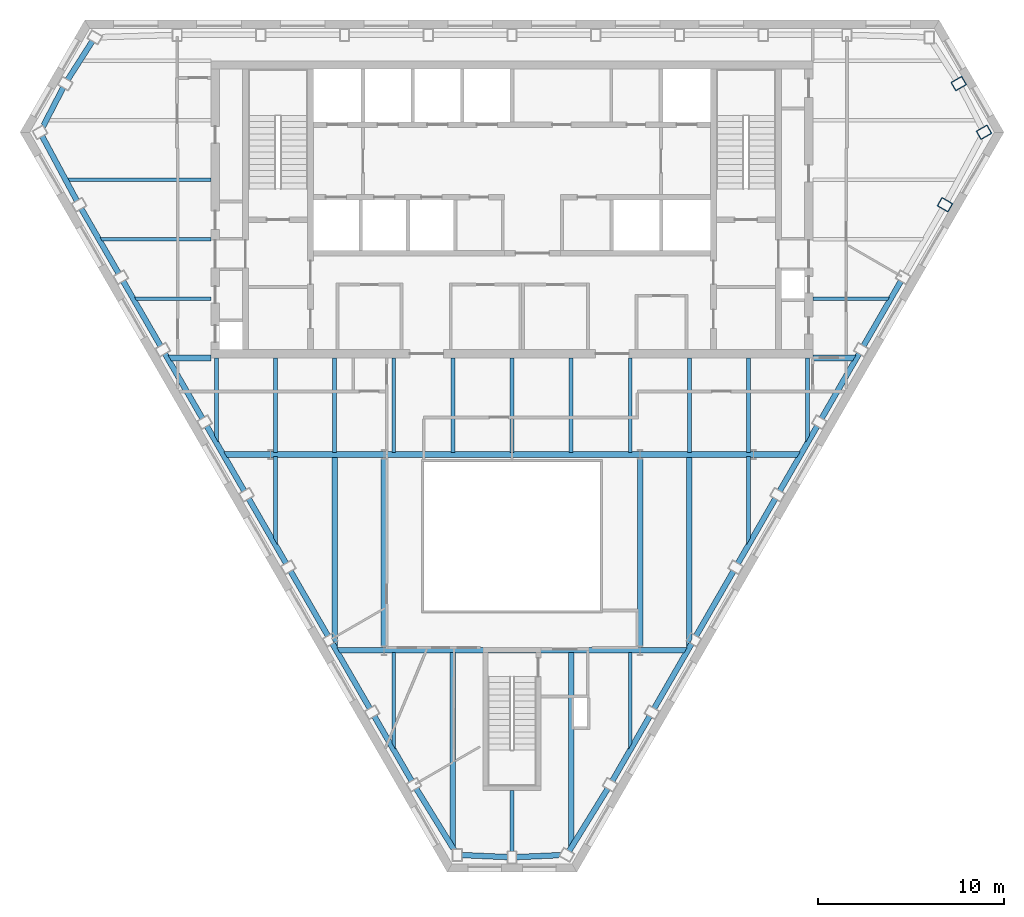
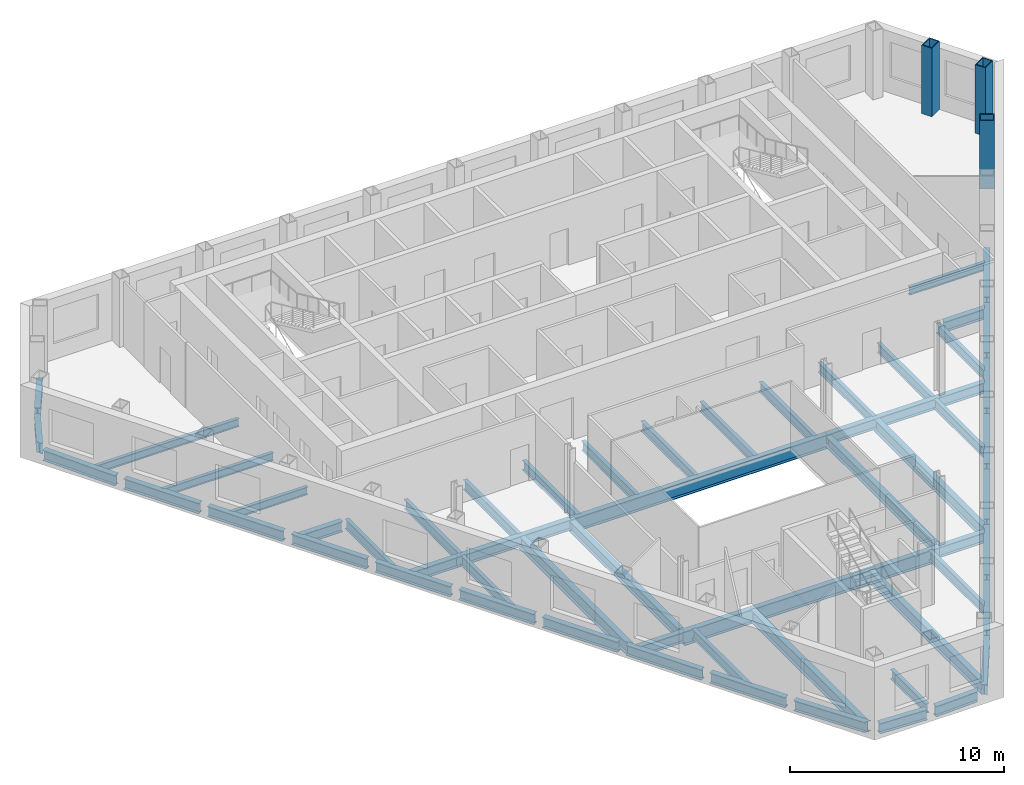
# One storey, part 2 of 11: 58 beams, 3 columns.
"""IFC4 building model written with IfcOpenShell, lengths in metres."""

from ifc_helpers import new_model, si_unit, direction, frame, origin, origin_2d, place, context, subcontext, project, spatial, hollow_rectangle, i_section, extrude, clip, halfspace, material, material_profile, profile_set, type_object, element, save


model = new_model("IFC4")

# Units and contexts
model_context = context("Model", 3, precision=1e-05, world=origin(), true_north=direction((0.0, 1.0)))
body_context = subcontext(model_context, "Body", "Model", "MODEL_VIEW")
ifc_project = project(units=[si_unit("LENGTHUNIT", "METRE"), si_unit("AREAUNIT", "SQUARE_METRE"), si_unit("VOLUMEUNIT", "CUBIC_METRE"), si_unit("PLANEANGLEUNIT", "RADIAN"), si_unit("MASSUNIT", "GRAM", prefix="KILO")], contexts=[model_context])

# Site, building, storey
site_placement = place(None, origin())
site = spatial("IfcSite", under=ifc_project, at=site_placement, CompositionType="ELEMENT")
building_placement = place(site_placement, origin())
building = spatial("IfcBuilding", under=site, at=building_placement, Name="Njiva Tower", CompositionType="ELEMENT")
storey_placement = place(building_placement, frame((0.0, 0.0, 223.8)))
storey = spatial("IfcBuildingStorey", under=building, at=storey_placement, Name="L50", CompositionType="ELEMENT", Elevation=223.8)

# Columns
ifc_material = material(Name="Steel S355 J2", Category="steel")
ifc_material_profile_1 = material_profile(ifc_material, hollow_rectangle(XDim=0.55, YDim=0.7, WallThickness=0.05, at=origin_2d()), Name="BOX 700x550x50")
ifc_profile_set_1 = profile_set([ifc_material_profile_1], Name="Steel S355 J2")
column_type = type_object("IfcColumnType", Name="C11 Perimeter tube column BOX 700x550x50", PredefinedType="COLUMN", material=ifc_profile_set_1)
for number, where, z_axis, x_axis, name in (
    (1, (23.317, 10.251, 0.0), (0.0, 0.0, 1.0), (0.5, 0.866025403784, 0.0), "Perimeter tube column S16-C34"),
    (2, (25.418, 14.155, 0.0), (0.0, 0.0, 1.0), (-0.5, 0.866025403784, 0.0), "Perimeter tube column S16-C35"),
    (3, (24.057, 16.778, 0.0), (0.0, 0.0, 1.0), (-0.5, 0.866025403784, 0.0), "Perimeter tube column S16-C36"),
):
    element("IfcColumn", number, at=place(storey_placement, frame(where, z_axis=z_axis, x_axis=x_axis)), inside=storey, type_object=column_type, Name=name, PredefinedType="COLUMN", context=body_context, shape_type="SweptSolid", body=[
        extrude(hollow_rectangle(XDim=0.55, YDim=0.7, WallThickness=0.05, at=origin_2d()), origin(), (0.0, 0.0, 1.0), 3.9),
    ])

# Beams
ifc_material_profile_2 = material_profile(ifc_material, i_section(OverallWidth=0.3, OverallDepth=0.69, WebThickness=0.0145, FlangeThickness=0.027, at=origin_2d()), Name="HEA 700")
ifc_profile_set_2 = profile_set([ifc_material_profile_2], Name="Steel S355 J2")
beam_type_1 = type_object("IfcBeamType", Name="B12 Long-span floor joist HEA 700", PredefinedType="JOIST", material=ifc_profile_set_2)
beam_1_placement = place(storey_placement, frame((-9.55, -3.3, -0.545), z_axis=(0.0, -1.0, 0.0), x_axis=(1.0, 0.0, 0.0)))
element("IfcBeam", 4, at=beam_1_placement, inside=storey, type_object=beam_type_1, Name="Long-span floor joist S16-B051", PredefinedType="JOIST", context=body_context, shape_type="Clipping", body=[
    clip(extrude(i_section(OverallWidth=0.3, OverallDepth=0.69, WebThickness=0.0145, FlangeThickness=0.027, at=origin_2d()), origin(), (0.0, 0.0, 1.0), 10.296), halfspace(frame((-0.0433, 0.0, 10.0195), z_axis=(-0.866026552831, 0.0, 0.499998009787), x_axis=(0.0, 1.0, 0.0)), False)),
])
beam_2_placement = place(storey_placement, frame((-3.183, -13.85, -0.545), z_axis=(0.0, -1.0, 0.0), x_axis=(1.0, 0.0, 0.0)))
element("IfcBeam", 5, at=beam_2_placement, inside=storey, type_object=beam_type_1, Name="Long-span floor joist S16-B055", PredefinedType="JOIST", context=body_context, shape_type="Clipping", body=[
    clip(extrude(i_section(OverallWidth=0.3, OverallDepth=0.69, WebThickness=0.0145, FlangeThickness=0.027, at=origin_2d()), origin(), (0.0, 0.0, 1.0), 10.532), halfspace(frame((-0.0429, 0.0, 10.2731), z_axis=(-0.850624900762, 0.0, 0.525773029171), x_axis=(0.0, 1.0, 0.0)), False)),
])
beam_3_placement = place(storey_placement, frame((3.183, -13.85, -0.545), z_axis=(0.0, -1.0, 0.0), x_axis=(1.0, 0.0, 0.0)))
element("IfcBeam", 6, at=beam_3_placement, inside=storey, type_object=beam_type_1, Name="Long-span floor joist S16-B060", PredefinedType="JOIST", context=body_context, shape_type="Clipping", body=[
    clip(extrude(i_section(OverallWidth=0.3, OverallDepth=0.69, WebThickness=0.0145, FlangeThickness=0.027, at=origin_2d()), origin(), (0.0, 0.0, 1.0), 10.532), halfspace(frame((0.0429, 0.0, 10.2731), z_axis=(0.850624900762, 0.0, 0.525773029171), x_axis=(0.0, 1.0, 0.0)), False)),
])
beam_4_placement = place(storey_placement, frame((9.55, -3.3, -0.545), z_axis=(0.0, -1.0, 0.0), x_axis=(1.0, 0.0, 0.0)))
element("IfcBeam", 7, at=beam_4_placement, inside=storey, type_object=beam_type_1, Name="Long-span floor joist S16-B064", PredefinedType="JOIST", context=body_context, shape_type="Clipping", body=[
    clip(extrude(i_section(OverallWidth=0.3, OverallDepth=0.69, WebThickness=0.0145, FlangeThickness=0.027, at=origin_2d()), origin(), (0.0, 0.0, 1.0), 10.296), halfspace(frame((0.0433, 0.0, 10.0195), z_axis=(0.866026552831, 0.0, 0.499998009787), x_axis=(0.0, 1.0, 0.0)), False)),
])
ifc_material_profile_3 = material_profile(ifc_material, i_section(OverallWidth=0.3, OverallDepth=0.59, WebThickness=0.013, FlangeThickness=0.025, at=origin_2d()), Name="HEA 600")
ifc_profile_set_3 = profile_set([ifc_material_profile_3], Name="Steel S355 J2")
beam_type_2 = type_object("IfcBeamType", Name="B27 Short-span spandrel beam HEA 600", PredefinedType="SPANDREL", material=ifc_profile_set_3)
beam_5_placement = place(storey_placement, frame((-22.591, 19.072, -0.495), z_axis=(-0.538381357522, -0.842701319492, 0.0), x_axis=(0.842701319492, -0.538381357522, 0.0)))
element("IfcBeam", 8, at=beam_5_placement, inside=storey, type_object=beam_type_2, Name="Short-span spandrel beam S16-B080", PredefinedType="SPANDREL", context=body_context, shape_type="SweptSolid", body=[
    extrude(i_section(OverallWidth=0.3, OverallDepth=0.59, WebThickness=0.013, FlangeThickness=0.025, at=origin_2d()), origin(), (0.0, 0.0, 1.0), 2.4908),
])
beam_6_placement = place(storey_placement, frame((-24.163, 16.573, -0.495), z_axis=(-0.460674555914, -0.887569126059, 0.0), x_axis=(0.887569126059, -0.460674555914, 0.0)))
element("IfcBeam", 9, at=beam_6_placement, inside=storey, type_object=beam_type_2, Name="Short-span spandrel beam S16-B077", PredefinedType="SPANDREL", context=body_context, shape_type="Clipping", body=[
    clip(extrude(i_section(OverallWidth=0.3, OverallDepth=0.59, WebThickness=0.013, FlangeThickness=0.025, at=origin_2d()), origin(), (0.0, 0.0, 1.0), 2.4843), halfspace(frame((-0.0266, 0.0, 2.3512), z_axis=(-0.538322069524, 0.0, 0.842739194213), x_axis=(0.0, 1.0, 0.0)), False)),
])
beam_7_placement = place(storey_placement, frame((-25.309, 13.954, -0.495), z_axis=(0.473574818702, -0.880753592721, 0.0), x_axis=(0.880753592721, 0.473574818702, 0.0)))
element("IfcBeam", 10, at=beam_7_placement, inside=storey, type_object=beam_type_2, Name="Short-span spandrel beam S16-B076", PredefinedType="SPANDREL", context=body_context, shape_type="SweptSolid", body=[
    extrude(i_section(OverallWidth=0.3, OverallDepth=0.59, WebThickness=0.013, FlangeThickness=0.025, at=origin_2d()), origin(), (0.0, 0.0, 1.0), 3.9761),
])
beam_8_placement = place(storey_placement, frame((-23.205, 10.056, -0.495), z_axis=(0.500113408832, -0.865959917263, 0.0), x_axis=(0.865959917263, 0.500113408832, 0.0)))
element("IfcBeam", 11, at=beam_8_placement, inside=storey, type_object=beam_type_2, Name="Short-span spandrel beam S16-B081", PredefinedType="SPANDREL", context=body_context, shape_type="SweptSolid", body=[
    extrude(i_section(OverallWidth=0.3, OverallDepth=0.59, WebThickness=0.013, FlangeThickness=0.025, at=origin_2d()), origin(), (0.0, 0.0, 1.0), 4.0591),
])
beam_9_placement = place(storey_placement, frame((-20.95, 6.151, -0.495), z_axis=(0.499928631667, -0.86606660439, 0.0), x_axis=(0.86606660439, 0.499928631667, 0.0)))
element("IfcBeam", 12, at=beam_9_placement, inside=storey, type_object=beam_type_2, Name="Short-span spandrel beam S16-B084", PredefinedType="SPANDREL", context=body_context, shape_type="SweptSolid", body=[
    extrude(i_section(OverallWidth=0.3, OverallDepth=0.59, WebThickness=0.013, FlangeThickness=0.025, at=origin_2d()), origin(), (0.0, 0.0, 1.0), 4.0586),
])
beam_10_placement = place(storey_placement, frame((-18.696, 2.246, -0.495), z_axis=(0.500035331196, -0.866005004348, 0.0), x_axis=(0.866005004348, 0.500035331196, 0.0)))
element("IfcBeam", 13, at=beam_10_placement, inside=storey, type_object=beam_type_2, Name="Short-span spandrel beam S16-B086", PredefinedType="SPANDREL", context=body_context, shape_type="SweptSolid", body=[
    extrude(i_section(OverallWidth=0.3, OverallDepth=0.59, WebThickness=0.013, FlangeThickness=0.025, at=origin_2d()), origin(), (0.0, 0.0, 1.0), 4.0577),
])
beam_11_placement = place(storey_placement, frame((-16.442, -1.658, -0.495), z_axis=(0.500113408832, -0.865959917263, 0.0), x_axis=(0.865959917263, 0.500113408832, 0.0)))
element("IfcBeam", 14, at=beam_11_placement, inside=storey, type_object=beam_type_2, Name="Short-span spandrel beam S16-B089", PredefinedType="SPANDREL", context=body_context, shape_type="SweptSolid", body=[
    extrude(i_section(OverallWidth=0.3, OverallDepth=0.59, WebThickness=0.013, FlangeThickness=0.025, at=origin_2d()), origin(), (0.0, 0.0, 1.0), 4.0591),
])
beam_12_placement = place(storey_placement, frame((-14.187, -5.563, -0.495), z_axis=(0.500035331196, -0.866005004348, 0.0), x_axis=(0.866005004348, 0.500035331196, 0.0)))
element("IfcBeam", 15, at=beam_12_placement, inside=storey, type_object=beam_type_2, Name="Short-span spandrel beam S16-B091", PredefinedType="SPANDREL", context=body_context, shape_type="SweptSolid", body=[
    extrude(i_section(OverallWidth=0.3, OverallDepth=0.59, WebThickness=0.013, FlangeThickness=0.025, at=origin_2d()), origin(), (0.0, 0.0, 1.0), 4.0577),
])
beam_13_placement = place(storey_placement, frame((-11.933, -9.467, -0.495), z_axis=(0.499928631667, -0.86606660439, 0.0), x_axis=(0.86606660439, 0.499928631667, 0.0)))
element("IfcBeam", 16, at=beam_13_placement, inside=storey, type_object=beam_type_2, Name="Short-span spandrel beam S16-B094", PredefinedType="SPANDREL", context=body_context, shape_type="SweptSolid", body=[
    extrude(i_section(OverallWidth=0.3, OverallDepth=0.59, WebThickness=0.013, FlangeThickness=0.025, at=origin_2d()), origin(), (0.0, 0.0, 1.0), 4.0586),
])
beam_14_placement = place(storey_placement, frame((-9.679, -13.372, -0.495), z_axis=(0.500113408832, -0.865959917263, 0.0), x_axis=(0.865959917263, 0.500113408832, 0.0)))
element("IfcBeam", 17, at=beam_14_placement, inside=storey, type_object=beam_type_2, Name="Short-span spandrel beam S16-B096", PredefinedType="SPANDREL", context=body_context, shape_type="SweptSolid", body=[
    extrude(i_section(OverallWidth=0.3, OverallDepth=0.59, WebThickness=0.013, FlangeThickness=0.025, at=origin_2d()), origin(), (0.0, 0.0, 1.0), 4.0591),
])
beam_15_placement = place(storey_placement, frame((-7.424, -17.277, -0.495), z_axis=(0.500035331196, -0.866005004348, 0.0), x_axis=(0.866005004348, 0.500035331196, 0.0)))
element("IfcBeam", 18, at=beam_15_placement, inside=storey, type_object=beam_type_2, Name="Short-span spandrel beam S16-B099", PredefinedType="SPANDREL", context=body_context, shape_type="SweptSolid", body=[
    extrude(i_section(OverallWidth=0.3, OverallDepth=0.59, WebThickness=0.013, FlangeThickness=0.025, at=origin_2d()), origin(), (0.0, 0.0, 1.0), 4.0577),
])
beam_16_placement = place(storey_placement, frame((-5.162, -21.181, -0.495), z_axis=(0.525863069855, -0.85056923984, 0.0), x_axis=(0.85056923984, 0.525863069855, 0.0)))
element("IfcBeam", 19, at=beam_16_placement, inside=storey, type_object=beam_type_2, Name="Short-span spandrel beam S16-B101", PredefinedType="SPANDREL", context=body_context, shape_type="Clipping", body=[
    clip(extrude(i_section(OverallWidth=0.3, OverallDepth=0.59, WebThickness=0.013, FlangeThickness=0.025, at=origin_2d()), origin(), (0.0, 0.0, 1.0), 3.9657), halfspace(frame((-0.0266, 0.0, 3.8363), z_axis=(-0.525863069855, 0.0, 0.85056923984), x_axis=(0.0, 1.0, 0.0)), False)),
])
beam_17_placement = place(storey_placement, frame((-2.72, -24.768, -0.495), z_axis=(0.998989125266, -0.044952503829, 0.0), x_axis=(0.044952503829, 0.998989125266, 0.0)))
element("IfcBeam", 20, at=beam_17_placement, inside=storey, type_object=beam_type_2, Name="Short-span spandrel beam S16-B105", PredefinedType="SPANDREL", context=body_context, shape_type="SweptSolid", body=[
    extrude(i_section(OverallWidth=0.3, OverallDepth=0.59, WebThickness=0.013, FlangeThickness=0.025, at=origin_2d()), origin(), (0.0, 0.0, 1.0), 2.4915),
])
beam_18_placement = place(storey_placement, frame((0.231, -24.88, -0.495), z_axis=(0.998997081323, 0.044775344871, 0.0), x_axis=(-0.044775344871, 0.998997081323, 0.0)))
element("IfcBeam", 21, at=beam_18_placement, inside=storey, type_object=beam_type_2, Name="Short-span spandrel beam S16-B107", PredefinedType="SPANDREL", context=body_context, shape_type="Clipping", body=[
    clip(extrude(i_section(OverallWidth=0.3, OverallDepth=0.59, WebThickness=0.013, FlangeThickness=0.025, at=origin_2d()), origin(), (0.0, 0.0, 1.0), 2.4834), halfspace(frame((-0.0265, 0.0, 2.3498), z_axis=(-0.538273190015, 0.0, 0.842770415304), x_axis=(0.0, 1.0, 0.0)), False)),
])
beam_19_placement = place(storey_placement, frame((3.071, -24.563, -0.495), z_axis=(0.525878338639, 0.85055979975, 0.0), x_axis=(-0.85055979975, 0.525878338639, 0.0)))
element("IfcBeam", 22, at=beam_19_placement, inside=storey, type_object=beam_type_2, Name="Short-span spandrel beam S16-B110", PredefinedType="SPANDREL", context=body_context, shape_type="SweptSolid", body=[
    extrude(i_section(OverallWidth=0.3, OverallDepth=0.59, WebThickness=0.013, FlangeThickness=0.025, at=origin_2d()), origin(), (0.0, 0.0, 1.0), 3.9762),
])
beam_20_placement = place(storey_placement, frame((5.395, -20.791, -0.495), z_axis=(0.500035331196, 0.866005004348, 0.0), x_axis=(-0.866005004348, 0.500035331196, 0.0)))
element("IfcBeam", 23, at=beam_20_placement, inside=storey, type_object=beam_type_2, Name="Short-span spandrel beam S16-B113", PredefinedType="SPANDREL", context=body_context, shape_type="SweptSolid", body=[
    extrude(i_section(OverallWidth=0.3, OverallDepth=0.59, WebThickness=0.013, FlangeThickness=0.025, at=origin_2d()), origin(), (0.0, 0.0, 1.0), 4.0577),
])
beam_21_placement = place(storey_placement, frame((7.649, -16.887, -0.495), z_axis=(0.500113408832, 0.865959917263, 0.0), x_axis=(-0.865959917263, 0.500113408832, 0.0)))
element("IfcBeam", 24, at=beam_21_placement, inside=storey, type_object=beam_type_2, Name="Short-span spandrel beam S16-B115", PredefinedType="SPANDREL", context=body_context, shape_type="SweptSolid", body=[
    extrude(i_section(OverallWidth=0.3, OverallDepth=0.59, WebThickness=0.013, FlangeThickness=0.025, at=origin_2d()), origin(), (0.0, 0.0, 1.0), 4.0591),
])
beam_22_placement = place(storey_placement, frame((9.904, -12.982, -0.495), z_axis=(0.499928631667, 0.86606660439, 0.0), x_axis=(-0.86606660439, 0.499928631667, 0.0)))
element("IfcBeam", 25, at=beam_22_placement, inside=storey, type_object=beam_type_2, Name="Short-span spandrel beam S16-B118", PredefinedType="SPANDREL", context=body_context, shape_type="SweptSolid", body=[
    extrude(i_section(OverallWidth=0.3, OverallDepth=0.59, WebThickness=0.013, FlangeThickness=0.025, at=origin_2d()), origin(), (0.0, 0.0, 1.0), 4.0586),
])
beam_23_placement = place(storey_placement, frame((12.158, -9.077, -0.495), z_axis=(0.500035331196, 0.866005004348, 0.0), x_axis=(-0.866005004348, 0.500035331196, 0.0)))
element("IfcBeam", 26, at=beam_23_placement, inside=storey, type_object=beam_type_2, Name="Short-span spandrel beam S16-B120", PredefinedType="SPANDREL", context=body_context, shape_type="SweptSolid", body=[
    extrude(i_section(OverallWidth=0.3, OverallDepth=0.59, WebThickness=0.013, FlangeThickness=0.025, at=origin_2d()), origin(), (0.0, 0.0, 1.0), 4.0577),
])
beam_24_placement = place(storey_placement, frame((14.412, -5.173, -0.495), z_axis=(0.500113408832, 0.865959917263, 0.0), x_axis=(-0.865959917263, 0.500113408832, 0.0)))
element("IfcBeam", 27, at=beam_24_placement, inside=storey, type_object=beam_type_2, Name="Short-span spandrel beam S16-B123", PredefinedType="SPANDREL", context=body_context, shape_type="SweptSolid", body=[
    extrude(i_section(OverallWidth=0.3, OverallDepth=0.59, WebThickness=0.013, FlangeThickness=0.025, at=origin_2d()), origin(), (0.0, 0.0, 1.0), 4.0591),
])
beam_25_placement = place(storey_placement, frame((16.667, -1.268, -0.495), z_axis=(0.500035331196, 0.866005004348, 0.0), x_axis=(-0.866005004348, 0.500035331196, 0.0)))
element("IfcBeam", 28, at=beam_25_placement, inside=storey, type_object=beam_type_2, Name="Short-span spandrel beam S16-B125", PredefinedType="SPANDREL", context=body_context, shape_type="SweptSolid", body=[
    extrude(i_section(OverallWidth=0.3, OverallDepth=0.59, WebThickness=0.013, FlangeThickness=0.025, at=origin_2d()), origin(), (0.0, 0.0, 1.0), 4.0577),
])
beam_26_placement = place(storey_placement, frame((18.921, 2.636, -0.495), z_axis=(0.499928631667, 0.86606660439, 0.0), x_axis=(-0.86606660439, 0.499928631667, 0.0)))
element("IfcBeam", 29, at=beam_26_placement, inside=storey, type_object=beam_type_2, Name="Short-span spandrel beam S16-B129", PredefinedType="SPANDREL", context=body_context, shape_type="SweptSolid", body=[
    extrude(i_section(OverallWidth=0.3, OverallDepth=0.59, WebThickness=0.013, FlangeThickness=0.025, at=origin_2d()), origin(), (0.0, 0.0, 1.0), 4.0586),
])
ifc_material_profile_4 = material_profile(ifc_material, i_section(OverallWidth=0.3, OverallDepth=0.59, WebThickness=0.013, FlangeThickness=0.025, at=origin_2d()), Name="HEA 600")
ifc_profile_set_4 = profile_set([ifc_material_profile_4], Name="Steel S355 J2")
beam_type_3 = type_object("IfcBeamType", Name="B28 Floor girder HEA 600", PredefinedType="BEAM", material=ifc_profile_set_4)
for number, where, z_axis, x_axis, name in (
    (30, (-13.0, -3.2, -0.495), (1.0, 0.0, 0.0), (0.0, 1.0, 0.0), "Floor girder S16-B013"),
    (31, (6.9, -3.2, -0.495), (1.0, 0.0, 0.0), (0.0, 1.0, 0.0), "Floor girder S16-B016"),
):
    element("IfcBeam", number, at=place(storey_placement, frame(where, z_axis=z_axis, x_axis=x_axis)), inside=storey, type_object=beam_type_3, Name=name, PredefinedType="BEAM", context=body_context, shape_type="SweptSolid", body=[
        extrude(i_section(OverallWidth=0.3, OverallDepth=0.59, WebThickness=0.013, FlangeThickness=0.025, at=origin_2d()), origin(), (0.0, 0.0, 1.0), 6.1),
    ])
ifc_material_profile_5 = material_profile(ifc_material, i_section(OverallWidth=0.3, OverallDepth=0.59, WebThickness=0.013, FlangeThickness=0.025, at=origin_2d()), Name="HEA 600")
ifc_profile_set_5 = profile_set([ifc_material_profile_5], Name="Steel S355 J2")
beam_type_4 = type_object("IfcBeamType", Name="B29 Short-span floor girder HEA 600", PredefinedType="BEAM", material=ifc_profile_set_5)
beam_27_placement = place(storey_placement, frame((-15.543, -3.2, -0.495), z_axis=(1.0, 0.0, 0.0), x_axis=(0.0, 1.0, 0.0)))
element("IfcBeam", 32, at=beam_27_placement, inside=storey, type_object=beam_type_4, Name="Short-span floor girder S16-B012", PredefinedType="BEAM", context=body_context, shape_type="Clipping", body=[
    clip(extrude(i_section(OverallWidth=0.3, OverallDepth=0.59, WebThickness=0.013, FlangeThickness=0.025, at=origin_2d()), origin(), (0.0, 0.0, 1.0), 2.543), halfspace(frame((-0.025, 0.0, 0.1217), z_axis=(-0.499998009787, 0.0, -0.866026552831), x_axis=(0.0, -1.0, 0.0)), False)),
])
beam_28_placement = place(storey_placement, frame((13.0, -3.2, -0.495), z_axis=(1.0, 0.0, 0.0), x_axis=(0.0, 1.0, 0.0)))
element("IfcBeam", 33, at=beam_28_placement, inside=storey, type_object=beam_type_4, Name="Short-span floor girder S16-B017", PredefinedType="BEAM", context=body_context, shape_type="Clipping", body=[
    clip(extrude(i_section(OverallWidth=0.3, OverallDepth=0.59, WebThickness=0.013, FlangeThickness=0.025, at=origin_2d()), origin(), (0.0, 0.0, 1.0), 2.543), halfspace(frame((-0.025, 0.0, 2.4213), z_axis=(-0.499998009787, 0.0, 0.866026552831), x_axis=(0.0, 1.0, 0.0)), False)),
])
beam_29_placement = place(storey_placement, frame((-9.452, -13.75, -0.495), z_axis=(1.0, 0.0, 0.0), x_axis=(0.0, 1.0, 0.0)))
element("IfcBeam", 34, at=beam_29_placement, inside=storey, type_object=beam_type_4, Name="Short-span floor girder S16-B014", PredefinedType="BEAM", context=body_context, shape_type="Clipping", body=[
    clip(extrude(i_section(OverallWidth=0.3, OverallDepth=0.59, WebThickness=0.013, FlangeThickness=0.025, at=origin_2d()), origin(), (0.0, 0.0, 1.0), 2.552), halfspace(frame((-0.025, 0.0, 0.1217), z_axis=(-0.499998009787, 0.0, -0.866026552831), x_axis=(0.0, -1.0, 0.0)), False)),
])
beam_30_placement = place(storey_placement, frame((6.9, -13.75, -0.495), z_axis=(1.0, 0.0, 0.0), x_axis=(0.0, 1.0, 0.0)))
element("IfcBeam", 35, at=beam_30_placement, inside=storey, type_object=beam_type_4, Name="Short-span floor girder S16-B015", PredefinedType="BEAM", context=body_context, shape_type="Clipping", body=[
    clip(extrude(i_section(OverallWidth=0.3, OverallDepth=0.59, WebThickness=0.013, FlangeThickness=0.025, at=origin_2d()), origin(), (0.0, 0.0, 1.0), 2.552), halfspace(frame((-0.025, 0.0, 2.4303), z_axis=(-0.499998009787, 0.0, 0.866026552831), x_axis=(0.0, 1.0, 0.0)), False)),
])
beam_31_placement = place(storey_placement, frame((-18.545, 2.0, -0.495), z_axis=(1.0, 0.0, 0.0), x_axis=(0.0, 1.0, 0.0)))
element("IfcBeam", 36, at=beam_31_placement, inside=storey, type_object=beam_type_4, Name="Short-span floor girder S16-B011", PredefinedType="BEAM", context=body_context, shape_type="Clipping", body=[
    clip(extrude(i_section(OverallWidth=0.3, OverallDepth=0.59, WebThickness=0.013, FlangeThickness=0.025, at=origin_2d()), origin(), (0.0, 0.0, 1.0), 2.345), halfspace(frame((-0.025, 0.0, 0.1214), z_axis=(-0.499998009787, 0.0, -0.866026552831), x_axis=(0.0, -1.0, 0.0)), False)),
])
beam_32_placement = place(storey_placement, frame((16.2, 2.0, -0.495), z_axis=(1.0, 0.0, 0.0), x_axis=(0.0, 1.0, 0.0)))
element("IfcBeam", 37, at=beam_32_placement, inside=storey, type_object=beam_type_4, Name="Short-span floor girder S16-B018", PredefinedType="BEAM", context=body_context, shape_type="Clipping", body=[
    clip(extrude(i_section(OverallWidth=0.3, OverallDepth=0.59, WebThickness=0.013, FlangeThickness=0.025, at=origin_2d()), origin(), (0.0, 0.0, 1.0), 2.345), halfspace(frame((-0.025, 0.0, 2.2236), z_axis=(-0.499998009787, 0.0, 0.866026552831), x_axis=(0.0, 1.0, 0.0)), False)),
])
ifc_material_profile_6 = material_profile(ifc_material, i_section(OverallWidth=0.3, OverallDepth=0.59, WebThickness=0.013, FlangeThickness=0.025, at=origin_2d()), Name="HEA 600")
ifc_profile_set_6 = profile_set([ifc_material_profile_6], Name="Steel S355 J2")
beam_type_5 = type_object("IfcBeamType", Name="B30 Long-span atrium trimmer beam HEA 600", PredefinedType="BEAM", material=ifc_profile_set_6)
for number, where, z_axis, x_axis, name in (
    (38, (6.9, -13.538, -0.495), (0.0, 1.0, 0.0), (-1.0, 0.0, 0.0), "Long-span atrium trimmer beam S16-B074"),
    (39, (-6.9, -3.412, -0.495), (0.0, -1.0, 0.0), (1.0, 0.0, 0.0), "Long-span atrium trimmer beam S16-B071"),
):
    element("IfcBeam", number, at=place(storey_placement, frame(where, z_axis=z_axis, x_axis=x_axis)), inside=storey, type_object=beam_type_5, Name=name, PredefinedType="BEAM", context=body_context, shape_type="SweptSolid", body=[
        extrude(i_section(OverallWidth=0.3, OverallDepth=0.59, WebThickness=0.013, FlangeThickness=0.025, at=origin_2d()), origin(), (0.0, 0.0, 1.0), 10.126),
    ])
ifc_material_profile_7 = material_profile(ifc_material, i_section(OverallWidth=0.21, OverallDepth=0.55, WebThickness=0.0111, FlangeThickness=0.0172, at=origin_2d()), Name="IPE 550")
ifc_profile_set_7 = profile_set([ifc_material_profile_7], Name="Steel S355 J2")
beam_type_6 = type_object("IfcBeamType", Name="B31 Short-span floor joist IPE 550", PredefinedType="JOIST", material=ifc_profile_set_7)
beam_33_placement = place(storey_placement, frame((-15.917, 1.995, -0.475), z_axis=(0.0, -1.0, 0.0), x_axis=(1.0, 0.0, 0.0)))
element("IfcBeam", 40, at=beam_33_placement, inside=storey, type_object=beam_type_6, Name="Short-span floor joist S16-B048", PredefinedType="JOIST", context=body_context, shape_type="Clipping", body=[
    clip(extrude(i_section(OverallWidth=0.21, OverallDepth=0.55, WebThickness=0.0111, FlangeThickness=0.0172, at=origin_2d()), origin(), (0.0, 0.0, 1.0), 4.564), halfspace(frame((-0.043, 0.0, 4.2871), z_axis=(-0.866026552831, 0.0, 0.499998009787), x_axis=(0.0, 1.0, 0.0)), False)),
])
beam_34_placement = place(storey_placement, frame((0.0, -21.3, -0.475), z_axis=(0.0, -1.0, 0.0), x_axis=(1.0, 0.0, 0.0)))
element("IfcBeam", 41, at=beam_34_placement, inside=storey, type_object=beam_type_6, Name="Short-span floor joist S16-B058", PredefinedType="JOIST", context=body_context, shape_type="SweptSolid", body=[
    extrude(i_section(OverallWidth=0.21, OverallDepth=0.55, WebThickness=0.0111, FlangeThickness=0.0172, at=origin_2d()), origin(), (0.0, 0.0, 1.0), 3.291),
])
beam_35_placement = place(storey_placement, frame((15.917, 1.995, -0.475), z_axis=(0.0, -1.0, 0.0), x_axis=(1.0, 0.0, 0.0)))
element("IfcBeam", 42, at=beam_35_placement, inside=storey, type_object=beam_type_6, Name="Short-span floor joist S16-B068", PredefinedType="JOIST", context=body_context, shape_type="Clipping", body=[
    clip(extrude(i_section(OverallWidth=0.21, OverallDepth=0.55, WebThickness=0.0111, FlangeThickness=0.0172, at=origin_2d()), origin(), (0.0, 0.0, 1.0), 4.564), halfspace(frame((0.043, 0.0, 4.2871), z_axis=(0.866026552831, 0.0, 0.499998009787), x_axis=(0.0, 1.0, 0.0)), False)),
])
ifc_material_profile_8 = material_profile(ifc_material, i_section(OverallWidth=0.21, OverallDepth=0.55, WebThickness=0.0111, FlangeThickness=0.0172, at=origin_2d()), Name="IPE 550")
ifc_profile_set_8 = profile_set([ifc_material_profile_8], Name="Steel S355 J2")
beam_type_7 = type_object("IfcBeamType", Name="B32 Floor joist IPE 550", PredefinedType="JOIST", material=ifc_profile_set_8)
beam_36_placement = place(storey_placement, frame((-12.733, 1.995, -0.475), z_axis=(0.0, -1.0, 0.0), x_axis=(1.0, 0.0, 0.0)))
element("IfcBeam", 43, at=beam_36_placement, inside=storey, type_object=beam_type_7, Name="Floor joist S16-B050", PredefinedType="JOIST", context=body_context, shape_type="SweptSolid", body=[
    extrude(i_section(OverallWidth=0.21, OverallDepth=0.55, WebThickness=0.0111, FlangeThickness=0.0172, at=origin_2d()), origin(), (0.0, 0.0, 1.0), 5.095),
])
beam_37_placement = place(storey_placement, frame((-12.733, -3.3, -0.475), z_axis=(0.0, -1.0, 0.0), x_axis=(1.0, 0.0, 0.0)))
element("IfcBeam", 44, at=beam_37_placement, inside=storey, type_object=beam_type_7, Name="Floor joist S16-B049", PredefinedType="JOIST", context=body_context, shape_type="Clipping", body=[
    clip(extrude(i_section(OverallWidth=0.21, OverallDepth=0.55, WebThickness=0.0111, FlangeThickness=0.0172, at=origin_2d()), origin(), (0.0, 0.0, 1.0), 4.783), halfspace(frame((-0.0436, 0.0, 4.5058), z_axis=(-0.866026552831, 0.0, 0.499998009787), x_axis=(0.0, 1.0, 0.0)), False)),
])
for number, where, z_axis, x_axis, name in (
    (45, (-9.55, 1.995, -0.475), (0.0, -1.0, 0.0), (1.0, 0.0, 0.0), "Floor joist S16-B052"),
    (46, (-6.367, 1.995, -0.475), (0.0, -1.0, 0.0), (1.0, 0.0, 0.0), "Floor joist S16-B054"),
):
    element("IfcBeam", number, at=place(storey_placement, frame(where, z_axis=z_axis, x_axis=x_axis)), inside=storey, type_object=beam_type_7, Name=name, PredefinedType="JOIST", context=body_context, shape_type="SweptSolid", body=[
        extrude(i_section(OverallWidth=0.21, OverallDepth=0.55, WebThickness=0.0111, FlangeThickness=0.0172, at=origin_2d()), origin(), (0.0, 0.0, 1.0), 5.095),
    ])
beam_38_placement = place(storey_placement, frame((-6.367, -13.85, -0.475), z_axis=(0.0, -1.0, 0.0), x_axis=(1.0, 0.0, 0.0)))
element("IfcBeam", 47, at=beam_38_placement, inside=storey, type_object=beam_type_7, Name="Floor joist S16-B053", PredefinedType="JOIST", context=body_context, shape_type="Clipping", body=[
    clip(extrude(i_section(OverallWidth=0.21, OverallDepth=0.55, WebThickness=0.0111, FlangeThickness=0.0172, at=origin_2d()), origin(), (0.0, 0.0, 1.0), 5.26), halfspace(frame((-0.043, 0.0, 4.9832), z_axis=(-0.866026552831, 0.0, 0.499998009787), x_axis=(0.0, 1.0, 0.0)), False)),
])
for number, where, z_axis, x_axis, name in (
    (48, (-3.183, 1.995, -0.475), (0.0, -1.0, 0.0), (1.0, 0.0, 0.0), "Floor joist S16-B056"),
    (49, (0.0, 1.995, -0.475), (0.0, -1.0, 0.0), (1.0, 0.0, 0.0), "Floor joist S16-B059"),
    (50, (3.183, 1.995, -0.475), (0.0, -1.0, 0.0), (1.0, 0.0, 0.0), "Floor joist S16-B061"),
    (51, (6.367, 1.995, -0.475), (0.0, -1.0, 0.0), (1.0, 0.0, 0.0), "Floor joist S16-B063"),
):
    element("IfcBeam", number, at=place(storey_placement, frame(where, z_axis=z_axis, x_axis=x_axis)), inside=storey, type_object=beam_type_7, Name=name, PredefinedType="JOIST", context=body_context, shape_type="SweptSolid", body=[
        extrude(i_section(OverallWidth=0.21, OverallDepth=0.55, WebThickness=0.0111, FlangeThickness=0.0172, at=origin_2d()), origin(), (0.0, 0.0, 1.0), 5.095),
    ])
beam_39_placement = place(storey_placement, frame((6.367, -13.85, -0.475), z_axis=(0.0, -1.0, 0.0), x_axis=(1.0, 0.0, 0.0)))
element("IfcBeam", 52, at=beam_39_placement, inside=storey, type_object=beam_type_7, Name="Floor joist S16-B062", PredefinedType="JOIST", context=body_context, shape_type="Clipping", body=[
    clip(extrude(i_section(OverallWidth=0.21, OverallDepth=0.55, WebThickness=0.0111, FlangeThickness=0.0172, at=origin_2d()), origin(), (0.0, 0.0, 1.0), 5.26), halfspace(frame((0.043, 0.0, 4.9832), z_axis=(0.866026552831, 0.0, 0.499998009787), x_axis=(0.0, 1.0, 0.0)), False)),
])
for number, where, z_axis, x_axis, name in (
    (53, (9.55, 1.995, -0.475), (0.0, -1.0, 0.0), (1.0, 0.0, 0.0), "Floor joist S16-B065"),
    (54, (12.733, 1.995, -0.475), (0.0, -1.0, 0.0), (1.0, 0.0, 0.0), "Floor joist S16-B067"),
):
    element("IfcBeam", number, at=place(storey_placement, frame(where, z_axis=z_axis, x_axis=x_axis)), inside=storey, type_object=beam_type_7, Name=name, PredefinedType="JOIST", context=body_context, shape_type="SweptSolid", body=[
        extrude(i_section(OverallWidth=0.21, OverallDepth=0.55, WebThickness=0.0111, FlangeThickness=0.0172, at=origin_2d()), origin(), (0.0, 0.0, 1.0), 5.095),
    ])
beam_40_placement = place(storey_placement, frame((12.733, -3.3, -0.475), z_axis=(0.0, -1.0, 0.0), x_axis=(1.0, 0.0, 0.0)))
element("IfcBeam", 55, at=beam_40_placement, inside=storey, type_object=beam_type_7, Name="Floor joist S16-B066", PredefinedType="JOIST", context=body_context, shape_type="Clipping", body=[
    clip(extrude(i_section(OverallWidth=0.21, OverallDepth=0.55, WebThickness=0.0111, FlangeThickness=0.0172, at=origin_2d()), origin(), (0.0, 0.0, 1.0), 4.783), halfspace(frame((0.0436, 0.0, 4.5058), z_axis=(0.866026552831, 0.0, 0.499998009787), x_axis=(0.0, 1.0, 0.0)), False)),
])
ifc_material_profile_9 = material_profile(ifc_material, i_section(OverallWidth=0.19, OverallDepth=0.45, WebThickness=0.0094, FlangeThickness=0.0146, at=origin_2d()), Name="IPE 450")
ifc_profile_set_9 = profile_set([ifc_material_profile_9], Name="Steel S355 J2")
beam_type_8 = type_object("IfcBeamType", Name="B37 Floor beam to the core IPE 450", PredefinedType="BEAM", material=ifc_profile_set_9)
beam_41_placement = place(storey_placement, frame((-22.208, 8.4, -0.425), z_axis=(1.0, 0.0, 0.0), x_axis=(0.0, 1.0, 0.0)))
element("IfcBeam", 56, at=beam_41_placement, inside=storey, type_object=beam_type_8, Name="Floor beam to the core S16-B004", PredefinedType="BEAM", context=body_context, shape_type="Clipping", body=[
    clip(extrude(i_section(OverallWidth=0.19, OverallDepth=0.45, WebThickness=0.0094, FlangeThickness=0.0146, at=origin_2d()), origin(), (0.0, 0.0, 1.0), 6.008), halfspace(frame((-0.025, 0.0, 0.0894), z_axis=(-0.499998009787, 0.0, -0.866026552831), x_axis=(0.0, -1.0, 0.0)), False)),
])
beam_42_placement = place(storey_placement, frame((-24.0, 11.6, -0.425), z_axis=(1.0, 0.0, 0.0), x_axis=(0.0, 1.0, 0.0)))
element("IfcBeam", 57, at=beam_42_placement, inside=storey, type_object=beam_type_8, Name="Floor beam to the core S16-B002", PredefinedType="BEAM", context=body_context, shape_type="Clipping", body=[
    clip(extrude(i_section(OverallWidth=0.19, OverallDepth=0.45, WebThickness=0.0094, FlangeThickness=0.0146, at=origin_2d()), origin(), (0.0, 0.0, 1.0), 7.8), halfspace(frame((-0.0237, 0.0, 0.0834), z_axis=(-0.473777178452, 0.0, -0.88064475538), x_axis=(0.0, -1.0, 0.0)), False)),
])
ifc_material_profile_10 = material_profile(ifc_material, i_section(OverallWidth=0.19, OverallDepth=0.45, WebThickness=0.0094, FlangeThickness=0.0146, at=origin_2d()), Name="IPE 450")
ifc_profile_set_10 = profile_set([ifc_material_profile_10], Name="Steel S355 J2")
beam_type_9 = type_object("IfcBeamType", Name="B38 Short-span floor beam to the core IPE 450", PredefinedType="BEAM", material=ifc_profile_set_10)
beam_43_placement = place(storey_placement, frame((-20.361, 5.2, -0.425), z_axis=(1.0, 0.0, 0.0), x_axis=(0.0, 1.0, 0.0)))
element("IfcBeam", 58, at=beam_43_placement, inside=storey, type_object=beam_type_9, Name="Short-span floor beam to the core S16-B005", PredefinedType="BEAM", context=body_context, shape_type="Clipping", body=[
    clip(extrude(i_section(OverallWidth=0.19, OverallDepth=0.45, WebThickness=0.0094, FlangeThickness=0.0146, at=origin_2d()), origin(), (0.0, 0.0, 1.0), 4.161), halfspace(frame((-0.025, 0.0, 0.0899), z_axis=(-0.499998009787, 0.0, -0.866026552831), x_axis=(0.0, -1.0, 0.0)), False)),
])
beam_44_placement = place(storey_placement, frame((16.2, 5.2, -0.425), z_axis=(1.0, 0.0, 0.0), x_axis=(0.0, 1.0, 0.0)))
element("IfcBeam", 59, at=beam_44_placement, inside=storey, type_object=beam_type_9, Name="Short-span floor beam to the core S16-B006", PredefinedType="BEAM", context=body_context, shape_type="Clipping", body=[
    clip(extrude(i_section(OverallWidth=0.19, OverallDepth=0.45, WebThickness=0.0094, FlangeThickness=0.0146, at=origin_2d()), origin(), (0.0, 0.0, 1.0), 4.161), halfspace(frame((-0.025, 0.0, 4.0711), z_axis=(-0.499998009787, 0.0, 0.866026552831), x_axis=(0.0, 1.0, 0.0)), False)),
])
ifc_material_profile_11 = material_profile(ifc_material, i_section(OverallWidth=0.3, OverallDepth=0.79, WebThickness=0.015, FlangeThickness=0.028, at=origin_2d()), Name="HEA 800")
ifc_profile_set_11 = profile_set([ifc_material_profile_11], Name="Steel S355 J2")
beam_type_10 = type_object("IfcBeamType", Name="B9 Long-span atrium trimmer beam HEA 800", PredefinedType="BEAM", material=ifc_profile_set_11)
for number, where, z_axis, x_axis, name in (
    (60, (-6.9, -13.75, -0.595), (1.0, 0.0, 0.0), (0.0, 1.0, 0.0), "Long-span atrium trimmer beam S16-B070"),
    (61, (6.9, -3.2, -0.595), (-1.0, 0.0, 0.0), (0.0, -1.0, 0.0), "Long-span atrium trimmer beam S16-B072"),
):
    element("IfcBeam", number, at=place(storey_placement, frame(where, z_axis=z_axis, x_axis=x_axis)), inside=storey, type_object=beam_type_10, Name=name, PredefinedType="BEAM", context=body_context, shape_type="SweptSolid", body=[
        extrude(i_section(OverallWidth=0.3, OverallDepth=0.79, WebThickness=0.015, FlangeThickness=0.028, at=origin_2d()), origin(), (0.0, 0.0, 1.0), 13.8),
    ])

save(model, "model.ifc")
